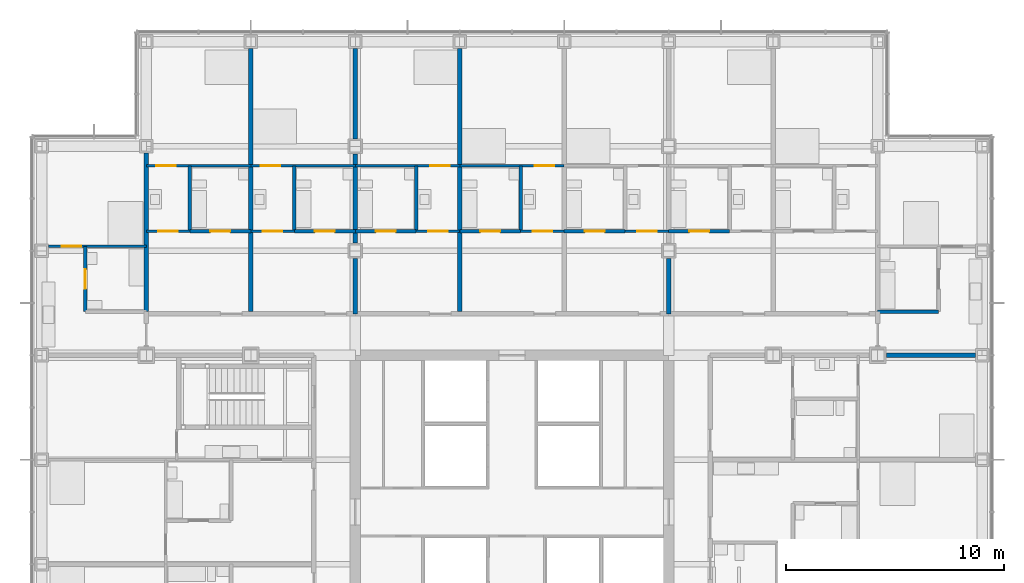
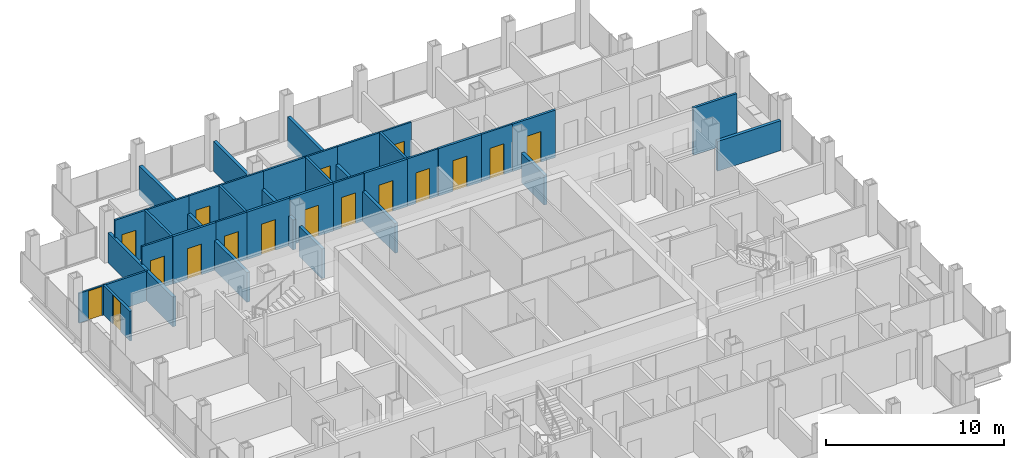
# One storey, part 18 of 22: 30 walls, 17 doors, 17 openings.
"""IFC4 building model written with IfcOpenShell, lengths in metres."""

from ifc_helpers import new_model, si_unit, direction, frame, frame_2d, origin, place, context, subcontext, project, spatial, rectangle, extrude, material, layer, layer_set, type_object, element, fill, save


model = new_model("IFC4")

# Units and contexts
model_context = context("Model", 3, precision=1e-05, world=origin(), true_north=direction((0.0, 1.0)))
body_context = subcontext(model_context, "Body", "Model", "MODEL_VIEW")
ifc_project = project(units=[si_unit("LENGTHUNIT", "METRE"), si_unit("AREAUNIT", "SQUARE_METRE"), si_unit("VOLUMEUNIT", "CUBIC_METRE"), si_unit("PLANEANGLEUNIT", "RADIAN"), si_unit("MASSUNIT", "GRAM", prefix="KILO")], contexts=[model_context])

# Site, building, storey
site_placement = place(None, origin())
site = spatial("IfcSite", under=ifc_project, at=site_placement, CompositionType="ELEMENT")
building_placement = place(site_placement, origin())
building = spatial("IfcBuilding", under=site, at=building_placement, Name="Kvirike Care Tower", CompositionType="ELEMENT")
storey_placement = place(building_placement, frame((0.0, 0.0, 76.0)))
storey = spatial("IfcBuildingStorey", under=building, at=storey_placement, Name="L20", CompositionType="ELEMENT", Elevation=76.0)

# Wall
ifc_material_1 = material(Name="Moisture-resistant board partition", Category="gypsum")
ifc_layer_1 = layer(ifc_material_1, 0.14990234375)
ifc_layer_set_1 = layer_set([ifc_layer_1], Name="BATHROOM WALL 150")
wall_type_1 = type_object("IfcWallType", Name="BATHROOM WALL 150", PredefinedType="PARTITIONING", material=ifc_layer_set_1)
wall_1_placement = place(storey_placement, frame((11.60009765625, 51.89990234375, 0.0), z_axis=(0.0, 0.0, 1.0), x_axis=(0.0, -1.0, 0.0)))
element("IfcWall", 1, at=wall_1_placement, inside=storey, type_object=wall_type_1, Name="Bathroom Wall 150 L20", PredefinedType="PARTITIONING", context=body_context, shape_type="SweptSolid", body=[
    extrude(rectangle(XDim=3.0, YDim=0.14990234375, at=frame_2d((1.5, 0.0))), origin(), (0.0, 0.0, 1.0), 3.25),
])

# Wall, opening, door
wall_2_placement = place(storey_placement, frame((14.39990234375, 48.89990234375, 0.0), z_axis=(0.0, 0.0, 1.0), x_axis=(-1.0, 0.0, 0.0)))
wall_2 = element("IfcWall", 2, at=wall_2_placement, inside=storey, type_object=wall_type_1, Name="Bathroom Wall 150 L20", PredefinedType="PARTITIONING", context=body_context, shape_type="SweptSolid", body=[
    extrude(rectangle(XDim=2.7998046875, YDim=0.14990234375, at=frame_2d((1.39990234375, 0.0))), origin(), (0.0, 0.0, 1.0), 3.25),
])
opening_1_placement = place(wall_2_placement, frame((0.949951171875, 0.0, 0.0)))
opening_1 = element("IfcOpeningElement", 3, at=opening_1_placement, cuts=wall_2, Name="Opening 20-022", PredefinedType="OPENING", context=body_context, shape_type="SweptSolid", body=[
    extrude(rectangle(XDim=0.89990234375, YDim=2.10009765625, at=frame_2d((0.449951171875, 1.050048828125))), frame((0.0, 0.08544921875, 0.0), z_axis=(0.0, -1.0, 0.0), x_axis=(1.0, 0.0, 0.0)), (0.0, 0.0, 1.0), 0.1708984375),
])
ifc_material_2 = material(Name="Timber door set", Category="wood")
door_type_1 = type_object("IfcDoorType", Name="BATHROOM DOOR 900", OperationType="SINGLE_SWING_RIGHT", PredefinedType="DOOR", material=ifc_material_2)
door_1_placement = place(opening_1_placement, frame((0.89990234375, 0.0, 0.0), z_axis=(0.0, 0.0, 1.0), x_axis=(-1.0, 0.0, 0.0)))
door_1 = element("IfcDoor", 4, at=door_1_placement, inside=storey, type_object=door_type_1, Name="Bathroom door", OperationType="SINGLE_SWING_RIGHT", OverallHeight=2.10009765625, OverallWidth=0.89990234375, PredefinedType="DOOR", context=body_context, shape_type="SweptSolid", body=[
    extrude(rectangle(XDim=0.89990234375, YDim=2.10009765625, at=frame_2d((0.449951171875, 1.050048828125))), frame((0.0, 0.02197265625, 0.0), z_axis=(0.0, -1.0, 0.0), x_axis=(1.0, 0.0, 0.0)), (0.0, 0.0, 1.0), 0.0439453125),
])
fill(opening_1, door_1)

# Wall
wall_3_placement = place(storey_placement, frame((6.800048828125, 51.89990234375, 0.0), z_axis=(0.0, 0.0, 1.0), x_axis=(0.0, -1.0, 0.0)))
element("IfcWall", 5, at=wall_3_placement, inside=storey, type_object=wall_type_1, Name="Bathroom Wall 150 L20", PredefinedType="PARTITIONING", context=body_context, shape_type="SweptSolid", body=[
    extrude(rectangle(XDim=3.0, YDim=0.14990234375, at=frame_2d((1.5, 0.0))), origin(), (0.0, 0.0, 1.0), 3.25),
])

# Wall, opening, door
wall_4_placement = place(storey_placement, frame((9.60009765625, 48.89990234375, 0.0), z_axis=(0.0, 0.0, 1.0), x_axis=(-1.0, 0.0, 0.0)))
wall_4 = element("IfcWall", 6, at=wall_4_placement, inside=storey, type_object=wall_type_1, Name="Bathroom Wall 150 L20", PredefinedType="PARTITIONING", context=body_context, shape_type="SweptSolid", body=[
    extrude(rectangle(XDim=2.800048828125, YDim=0.14990234375, at=frame_2d((1.39990234375, 0.0))), origin(), (0.0, 0.0, 1.0), 3.25),
])
opening_2_placement = place(wall_4_placement, frame((0.949951171875, 0.0, 0.0)))
opening_2 = element("IfcOpeningElement", 7, at=opening_2_placement, cuts=wall_4, Name="Opening 20-025", PredefinedType="OPENING", context=body_context, shape_type="SweptSolid", body=[
    extrude(rectangle(XDim=0.89990234375, YDim=2.10009765625, at=frame_2d((0.449951171875, 1.050048828125))), frame((0.0, 0.08544921875, 0.0), z_axis=(0.0, -1.0, 0.0), x_axis=(1.0, 0.0, 0.0)), (0.0, 0.0, 1.0), 0.1708984375),
])
door_2_placement = place(opening_2_placement, frame((0.89990234375, 0.0, 0.0), z_axis=(0.0, 0.0, 1.0), x_axis=(-1.0, 0.0, 0.0)))
door_2 = element("IfcDoor", 8, at=door_2_placement, inside=storey, type_object=door_type_1, Name="Bathroom door", OperationType="SINGLE_SWING_LEFT", OverallHeight=2.10009765625, OverallWidth=0.89990234375, PredefinedType="DOOR", context=body_context, shape_type="SweptSolid", body=[
    extrude(rectangle(XDim=0.89990234375, YDim=2.10009765625, at=frame_2d((0.449951171875, 1.050048828125))), frame((0.0, 0.02197265625, 0.0), z_axis=(0.0, -1.0, 0.0), x_axis=(1.0, 0.0, 0.0)), (0.0, 0.0, 1.0), 0.0439453125),
])
fill(opening_2, door_2)

wall_5_placement = place(storey_placement, frame((2.0, 48.199951171875, 0.0), z_axis=(0.0, 0.0, 1.0), x_axis=(0.0, -1.0, 0.0)))
wall_5 = element("IfcWall", 9, at=wall_5_placement, inside=storey, type_object=wall_type_1, Name="Bathroom Wall 150 L20", PredefinedType="PARTITIONING", context=body_context, shape_type="SweptSolid", body=[
    extrude(rectangle(XDim=3.0, YDim=0.14990234375, at=frame_2d((1.5, 0.0))), origin(), (0.0, 0.0, 1.0), 2.0400390625),
])
opening_3_placement = place(wall_5_placement, frame((1.050048828125, 0.0, 0.0)))
opening_3 = element("IfcOpeningElement", 10, at=opening_3_placement, cuts=wall_5, Name="Opening 20-028", PredefinedType="OPENING", context=body_context, shape_type="SweptSolid", body=[
    extrude(rectangle(XDim=0.89990234375, YDim=2.0, at=frame_2d((0.449951171875, 1.0))), frame((0.0, 0.08544921875, 0.0), z_axis=(0.0, -1.0, 0.0), x_axis=(1.0, 0.0, 0.0)), (0.0, 0.0, 1.0), 0.1708984375),
])
ifc_material_3 = material(Name="Timber door set", Category="wood")
door_type_2 = type_object("IfcDoorType", Name="BATHROOM DOOR 900 x 2000", OperationType="SINGLE_SWING_RIGHT", PredefinedType="DOOR", material=ifc_material_3)
door_3_placement = place(opening_3_placement, origin())
door_3 = element("IfcDoor", 11, at=door_3_placement, inside=storey, type_object=door_type_2, Name="Bathroom door", OperationType="SINGLE_SWING_RIGHT", OverallHeight=2.0, OverallWidth=0.89990234375, PredefinedType="DOOR", context=body_context, shape_type="SweptSolid", body=[
    extrude(rectangle(XDim=0.89990234375, YDim=2.0, at=frame_2d((0.449951171875, 1.0))), frame((0.0, 0.02197265625, 0.0), z_axis=(0.0, -1.0, 0.0), x_axis=(1.0, 0.0, 0.0)), (0.0, 0.0, 1.0), 0.0439453125),
])
fill(opening_3, door_3)

wall_6_placement = place(storey_placement, frame((26.800048828125, 48.89990234375, 0.0), z_axis=(0.0, 0.0, 1.0), x_axis=(-1.0, 0.0, 0.0)))
wall_6 = element("IfcWall", 12, at=wall_6_placement, inside=storey, type_object=wall_type_1, Name="Bathroom Wall 150 L20", PredefinedType="PARTITIONING", context=body_context, shape_type="SweptSolid", body=[
    extrude(rectangle(XDim=2.800048828125, YDim=0.14990234375, at=frame_2d((1.39990234375, 0.0))), origin(), (0.0, 0.0, 1.0), 3.25),
])
opening_4_placement = place(wall_6_placement, frame((0.949951171875, 0.0, 0.0)))
opening_4 = element("IfcOpeningElement", 13, at=opening_4_placement, cuts=wall_6, Name="Opening 20-043", PredefinedType="OPENING", context=body_context, shape_type="SweptSolid", body=[
    extrude(rectangle(XDim=0.89990234375, YDim=2.10009765625, at=frame_2d((0.449951171875, 1.050048828125))), frame((0.0, 0.08544921875, 0.0), z_axis=(0.0, -1.0, 0.0), x_axis=(1.0, 0.0, 0.0)), (0.0, 0.0, 1.0), 0.1708984375),
])
door_4_placement = place(opening_4_placement, frame((0.89990234375, 0.0, 0.0), z_axis=(0.0, 0.0, 1.0), x_axis=(-1.0, 0.0, 0.0)))
door_4 = element("IfcDoor", 14, at=door_4_placement, inside=storey, type_object=door_type_1, Name="Bathroom door", OperationType="SINGLE_SWING_LEFT", OverallHeight=2.10009765625, OverallWidth=0.89990234375, PredefinedType="DOOR", context=body_context, shape_type="SweptSolid", body=[
    extrude(rectangle(XDim=0.89990234375, YDim=2.10009765625, at=frame_2d((0.449951171875, 1.050048828125))), frame((0.0, 0.02197265625, 0.0), z_axis=(0.0, -1.0, 0.0), x_axis=(1.0, 0.0, 0.0)), (0.0, 0.0, 1.0), 0.0439453125),
])
fill(opening_4, door_4)

# Wall
wall_7_placement = place(storey_placement, frame((22.0, 51.89990234375, 0.0), z_axis=(0.0, 0.0, 1.0), x_axis=(0.0, -1.0, 0.0)))
element("IfcWall", 15, at=wall_7_placement, inside=storey, type_object=wall_type_1, Name="Bathroom Wall 150 L20", PredefinedType="PARTITIONING", context=body_context, shape_type="SweptSolid", body=[
    extrude(rectangle(XDim=3.0, YDim=0.14990234375, at=frame_2d((1.5, 0.0))), origin(), (0.0, 0.0, 1.0), 3.25),
])

# Wall, opening, door
wall_8_placement = place(storey_placement, frame((22.0, 48.89990234375, 0.0), z_axis=(0.0, 0.0, 1.0), x_axis=(-1.0, 0.0, 0.0)))
wall_8 = element("IfcWall", 16, at=wall_8_placement, inside=storey, type_object=wall_type_1, Name="Bathroom Wall 150 L20", PredefinedType="PARTITIONING", context=body_context, shape_type="SweptSolid", body=[
    extrude(rectangle(XDim=2.800048828125, YDim=0.14990234375, at=frame_2d((1.39990234375, 0.0))), origin(), (0.0, 0.0, 1.0), 3.25),
])
opening_5_placement = place(wall_8_placement, frame((0.949951171875, 0.0, 0.0)))
opening_5 = element("IfcOpeningElement", 17, at=opening_5_placement, cuts=wall_8, Name="Opening 20-046", PredefinedType="OPENING", context=body_context, shape_type="SweptSolid", body=[
    extrude(rectangle(XDim=0.89990234375, YDim=2.10009765625, at=frame_2d((0.449951171875, 1.050048828125))), frame((0.0, 0.08544921875, 0.0), z_axis=(0.0, -1.0, 0.0), x_axis=(1.0, 0.0, 0.0)), (0.0, 0.0, 1.0), 0.1708984375),
])
door_5_placement = place(opening_5_placement, frame((0.89990234375, 0.0, 0.0), z_axis=(0.0, 0.0, 1.0), x_axis=(-1.0, 0.0, 0.0)))
door_5 = element("IfcDoor", 18, at=door_5_placement, inside=storey, type_object=door_type_1, Name="Bathroom door", OperationType="SINGLE_SWING_RIGHT", OverallHeight=2.10009765625, OverallWidth=0.89990234375, PredefinedType="DOOR", context=body_context, shape_type="SweptSolid", body=[
    extrude(rectangle(XDim=0.89990234375, YDim=2.10009765625, at=frame_2d((0.449951171875, 1.050048828125))), frame((0.0, 0.02197265625, 0.0), z_axis=(0.0, -1.0, 0.0), x_axis=(1.0, 0.0, 0.0)), (0.0, 0.0, 1.0), 0.0439453125),
])
fill(opening_5, door_5)

# Wall
wall_9_placement = place(storey_placement, frame((17.199951171875, 51.89990234375, 0.0), z_axis=(0.0, 0.0, 1.0), x_axis=(0.0, -1.0, 0.0)))
element("IfcWall", 19, at=wall_9_placement, inside=storey, type_object=wall_type_1, Name="Bathroom Wall 150 L20", PredefinedType="PARTITIONING", context=body_context, shape_type="SweptSolid", body=[
    extrude(rectangle(XDim=3.0, YDim=0.14990234375, at=frame_2d((1.5, 0.0))), origin(), (0.0, 0.0, 1.0), 3.25),
])

# Wall, opening, door
wall_10_placement = place(storey_placement, frame((17.199951171875, 48.89990234375, 0.0), z_axis=(0.0, 0.0, 1.0), x_axis=(-1.0, 0.0, 0.0)))
wall_10 = element("IfcWall", 20, at=wall_10_placement, inside=storey, type_object=wall_type_1, Name="Bathroom Wall 150 L20", PredefinedType="PARTITIONING", context=body_context, shape_type="SweptSolid", body=[
    extrude(rectangle(XDim=2.800048828125, YDim=0.14990234375, at=frame_2d((1.39990234375, 0.0))), origin(), (0.0, 0.0, 1.0), 3.25),
])
opening_6_placement = place(wall_10_placement, frame((0.949951171875, 0.0, 0.0)))
opening_6 = element("IfcOpeningElement", 21, at=opening_6_placement, cuts=wall_10, Name="Opening 20-049", PredefinedType="OPENING", context=body_context, shape_type="SweptSolid", body=[
    extrude(rectangle(XDim=0.89990234375, YDim=2.10009765625, at=frame_2d((0.449951171875, 1.050048828125))), frame((0.0, 0.08544921875, 0.0), z_axis=(0.0, -1.0, 0.0), x_axis=(1.0, 0.0, 0.0)), (0.0, 0.0, 1.0), 0.1708984375),
])
door_6_placement = place(opening_6_placement, frame((0.89990234375, 0.0, 0.0), z_axis=(0.0, 0.0, 1.0), x_axis=(-1.0, 0.0, 0.0)))
door_6 = element("IfcDoor", 22, at=door_6_placement, inside=storey, type_object=door_type_1, Name="Bathroom door", OperationType="SINGLE_SWING_LEFT", OverallHeight=2.10009765625, OverallWidth=0.89990234375, PredefinedType="DOOR", context=body_context, shape_type="SweptSolid", body=[
    extrude(rectangle(XDim=0.89990234375, YDim=2.10009765625, at=frame_2d((0.449951171875, 1.050048828125))), frame((0.0, 0.02197265625, 0.0), z_axis=(0.0, -1.0, 0.0), x_axis=(1.0, 0.0, 0.0)), (0.0, 0.0, 1.0), 0.0439453125),
])
fill(opening_6, door_6)

# Wall
wall_11_placement = place(storey_placement, frame((41.199951171875, 45.199951171875, 0.0), z_axis=(0.0, 0.0, 1.0), x_axis=(-1.0, 0.0, 0.0)))
element("IfcWall", 23, at=wall_11_placement, inside=storey, type_object=wall_type_1, Name="Bathroom Wall 150 L20", PredefinedType="PARTITIONING", context=body_context, shape_type="SweptSolid", body=[
    extrude(rectangle(XDim=2.800048828125, YDim=0.14990234375, at=frame_2d((1.39990234375, 0.0))), origin(), (0.0, 0.0, 1.0), 3.25),
])

# Wall, opening, door
wall_12_placement = place(storey_placement, frame((31.60009765625, 48.89990234375, 0.0), z_axis=(0.0, 0.0, 1.0), x_axis=(-1.0, 0.0, 0.0)))
wall_12 = element("IfcWall", 24, at=wall_12_placement, inside=storey, type_object=wall_type_1, Name="Bathroom Wall 150 L20", PredefinedType="PARTITIONING", context=body_context, shape_type="SweptSolid", body=[
    extrude(rectangle(XDim=2.800048828125, YDim=0.14990234375, at=frame_2d((1.39990234375, 0.0))), origin(), (0.0, 0.0, 1.0), 3.25),
])
opening_7_placement = place(wall_12_placement, frame((0.949951171875, 0.0, 0.0)))
opening_7 = element("IfcOpeningElement", 25, at=opening_7_placement, cuts=wall_12, Name="Opening 20-081", PredefinedType="OPENING", context=body_context, shape_type="SweptSolid", body=[
    extrude(rectangle(XDim=0.89990234375, YDim=2.10009765625, at=frame_2d((0.449951171875, 1.050048828125))), frame((0.0, 0.08544921875, 0.0), z_axis=(0.0, -1.0, 0.0), x_axis=(1.0, 0.0, 0.0)), (0.0, 0.0, 1.0), 0.1708984375),
])
door_7_placement = place(opening_7_placement, frame((0.89990234375, 0.0, 0.0), z_axis=(0.0, 0.0, 1.0), x_axis=(-1.0, 0.0, 0.0)))
door_7 = element("IfcDoor", 26, at=door_7_placement, inside=storey, type_object=door_type_1, Name="Bathroom door", OperationType="SINGLE_SWING_LEFT", OverallHeight=2.10009765625, OverallWidth=0.89990234375, PredefinedType="DOOR", context=body_context, shape_type="SweptSolid", body=[
    extrude(rectangle(XDim=0.89990234375, YDim=2.10009765625, at=frame_2d((0.449951171875, 1.050048828125))), frame((0.0, 0.02197265625, 0.0), z_axis=(0.0, -1.0, 0.0), x_axis=(1.0, 0.0, 0.0)), (0.0, 0.0, 1.0), 0.0439453125),
])
fill(opening_7, door_7)

ifc_material_4 = material(Name="Plasterboard partition", Category="gypsum")
ifc_layer_2 = layer(ifc_material_4, 0.1201171875)
ifc_layer_set_2 = layer_set([ifc_layer_2], Name="PARTITION 120")
wall_type_2 = type_object("IfcWallType", Name="PARTITION 120", PredefinedType="PARTITIONING", material=ifc_layer_set_2)
wall_13_placement = place(storey_placement, frame((11.60009765625, 48.89990234375, 0.0), z_axis=(0.0, 0.0, 1.0), x_axis=(-1.0, 0.0, 0.0)))
wall_13 = element("IfcWall", 27, at=wall_13_placement, inside=storey, type_object=wall_type_2, Name="Partition 120 L20", PredefinedType="PARTITIONING", context=body_context, shape_type="SweptSolid", body=[
    extrude(rectangle(XDim=2.0, YDim=0.1201171875, at=frame_2d((1.0, 0.0))), origin(), (0.0, 0.0, 1.0), 3.25),
])
opening_8_placement = place(wall_13_placement, frame((0.550048828125, 0.0, 0.0)))
opening_8 = element("IfcOpeningElement", 28, at=opening_8_placement, cuts=wall_13, Name="Opening 20-023", PredefinedType="OPENING", context=body_context, shape_type="SweptSolid", body=[
    extrude(rectangle(XDim=0.89990234375, YDim=2.10009765625, at=frame_2d((0.449951171875, 1.050048828125))), frame((0.0, 0.070556640625, 0.0), z_axis=(0.0, -1.0, 0.0), x_axis=(1.0, 0.0, 0.0)), (0.0, 0.0, 1.0), 0.14111328125),
])
ifc_material_5 = material(Name="Timber door set", Category="wood")
door_type_3 = type_object("IfcDoorType", Name="INTERNAL DOOR 900", OperationType="SINGLE_SWING_LEFT", PredefinedType="DOOR", material=ifc_material_5)
door_8_placement = place(opening_8_placement, frame((0.89990234375, 0.0, 0.0), z_axis=(0.0, 0.0, 1.0), x_axis=(-1.0, 0.0, 0.0)))
door_8 = element("IfcDoor", 29, at=door_8_placement, inside=storey, type_object=door_type_3, Name="Kitchen door", OperationType="SINGLE_SWING_RIGHT", OverallHeight=2.10009765625, OverallWidth=0.89990234375, PredefinedType="DOOR", context=body_context, shape_type="SweptSolid", body=[
    extrude(rectangle(XDim=0.89990234375, YDim=2.10009765625, at=frame_2d((0.449951171875, 1.050048828125))), frame((0.0, 0.02197265625, 0.0), z_axis=(0.0, -1.0, 0.0), x_axis=(1.0, 0.0, 0.0)), (0.0, 0.0, 1.0), 0.0439453125),
])
fill(opening_8, door_8)

wall_14_placement = place(storey_placement, frame((14.39990234375, 51.89990234375, 0.0), z_axis=(0.0, 0.0, 1.0), x_axis=(-1.0, 0.0, 0.0)))
wall_14 = element("IfcWall", 30, at=wall_14_placement, inside=storey, type_object=wall_type_2, Name="Partition 120 L20", PredefinedType="PARTITIONING", context=body_context, shape_type="SweptSolid", body=[
    extrude(rectangle(XDim=4.7998046875, YDim=0.1201171875, at=frame_2d((2.39990234375, 0.0))), origin(), (0.0, 0.0, 1.0), 3.25),
])
opening_9_placement = place(wall_14_placement, frame((3.449951171875, 0.0, 0.0)))
opening_9 = element("IfcOpeningElement", 31, at=opening_9_placement, cuts=wall_14, Name="Opening 20-024", PredefinedType="OPENING", context=body_context, shape_type="SweptSolid", body=[
    extrude(rectangle(XDim=0.89990234375, YDim=2.10009765625, at=frame_2d((0.449951171875, 1.050048828125))), frame((0.0, 0.070556640625, 0.0), z_axis=(0.0, -1.0, 0.0), x_axis=(1.0, 0.0, 0.0)), (0.0, 0.0, 1.0), 0.14111328125),
])
door_9_placement = place(opening_9_placement, origin())
door_9 = element("IfcDoor", 32, at=door_9_placement, inside=storey, type_object=door_type_3, Name="Studio apartment living room door", OperationType="SINGLE_SWING_LEFT", OverallHeight=2.10009765625, OverallWidth=0.89990234375, PredefinedType="DOOR", context=body_context, shape_type="SweptSolid", body=[
    extrude(rectangle(XDim=0.89990234375, YDim=2.10009765625, at=frame_2d((0.449951171875, 1.050048828125))), frame((0.0, 0.02197265625, 0.0), z_axis=(0.0, -1.0, 0.0), x_axis=(1.0, 0.0, 0.0)), (0.0, 0.0, 1.0), 0.0439453125),
])
fill(opening_9, door_9)

wall_15_placement = place(storey_placement, frame((6.800048828125, 48.89990234375, 0.0), z_axis=(0.0, 0.0, 1.0), x_axis=(-1.0, 0.0, 0.0)))
wall_15 = element("IfcWall", 33, at=wall_15_placement, inside=storey, type_object=wall_type_2, Name="Partition 120 L20", PredefinedType="PARTITIONING", context=body_context, shape_type="SweptSolid", body=[
    extrude(rectangle(XDim=2.0, YDim=0.1201171875, at=frame_2d((1.0, 0.0))), origin(), (0.0, 0.0, 1.0), 3.25),
])
opening_10_placement = place(wall_15_placement, frame((0.550048828125, 0.0, 0.0)))
opening_10 = element("IfcOpeningElement", 34, at=opening_10_placement, cuts=wall_15, Name="Opening 20-026", PredefinedType="OPENING", context=body_context, shape_type="SweptSolid", body=[
    extrude(rectangle(XDim=0.89990234375, YDim=2.10009765625, at=frame_2d((0.449951171875, 1.050048828125))), frame((0.0, 0.070556640625, 0.0), z_axis=(0.0, -1.0, 0.0), x_axis=(1.0, 0.0, 0.0)), (0.0, 0.0, 1.0), 0.14111328125),
])
door_10_placement = place(opening_10_placement, frame((0.89990234375, 0.0, 0.0), z_axis=(0.0, 0.0, 1.0), x_axis=(-1.0, 0.0, 0.0)))
door_10 = element("IfcDoor", 35, at=door_10_placement, inside=storey, type_object=door_type_3, Name="Kitchen door", OperationType="SINGLE_SWING_LEFT", OverallHeight=2.10009765625, OverallWidth=0.89990234375, PredefinedType="DOOR", context=body_context, shape_type="SweptSolid", body=[
    extrude(rectangle(XDim=0.89990234375, YDim=2.10009765625, at=frame_2d((0.449951171875, 1.050048828125))), frame((0.0, 0.02197265625, 0.0), z_axis=(0.0, -1.0, 0.0), x_axis=(1.0, 0.0, 0.0)), (0.0, 0.0, 1.0), 0.0439453125),
])
fill(opening_10, door_10)

wall_16_placement = place(storey_placement, frame((9.60009765625, 51.89990234375, 0.0), z_axis=(0.0, 0.0, 1.0), x_axis=(-1.0, 0.0, 0.0)))
wall_16 = element("IfcWall", 36, at=wall_16_placement, inside=storey, type_object=wall_type_2, Name="Partition 120 L20", PredefinedType="PARTITIONING", context=body_context, shape_type="SweptSolid", body=[
    extrude(rectangle(XDim=4.800048828125, YDim=0.1201171875, at=frame_2d((2.39990234375, 0.0))), origin(), (0.0, 0.0, 1.0), 3.25),
])
opening_11_placement = place(wall_16_placement, frame((3.449951171875, 0.0, 0.0)))
opening_11 = element("IfcOpeningElement", 37, at=opening_11_placement, cuts=wall_16, Name="Opening 20-027", PredefinedType="OPENING", context=body_context, shape_type="SweptSolid", body=[
    extrude(rectangle(XDim=0.89990234375, YDim=2.10009765625, at=frame_2d((0.449951171875, 1.050048828125))), frame((0.0, 0.070556640625, 0.0), z_axis=(0.0, -1.0, 0.0), x_axis=(1.0, 0.0, 0.0)), (0.0, 0.0, 1.0), 0.14111328125),
])
door_11_placement = place(opening_11_placement, origin())
door_11 = element("IfcDoor", 38, at=door_11_placement, inside=storey, type_object=door_type_3, Name="Studio apartment living room door", OperationType="SINGLE_SWING_LEFT", OverallHeight=2.10009765625, OverallWidth=0.89990234375, PredefinedType="DOOR", context=body_context, shape_type="SweptSolid", body=[
    extrude(rectangle(XDim=0.89990234375, YDim=2.10009765625, at=frame_2d((0.449951171875, 1.050048828125))), frame((0.0, 0.02197265625, 0.0), z_axis=(0.0, -1.0, 0.0), x_axis=(1.0, 0.0, 0.0)), (0.0, 0.0, 1.0), 0.0439453125),
])
fill(opening_11, door_11)

wall_17_placement = place(storey_placement, frame((4.800048828125, 48.199951171875, 0.0), z_axis=(0.0, 0.0, 1.0), x_axis=(-1.0, 0.0, 0.0)))
wall_17 = element("IfcWall", 39, at=wall_17_placement, inside=storey, type_object=wall_type_2, Name="Partition 120 L20", PredefinedType="PARTITIONING", context=body_context, shape_type="SweptSolid", body=[
    extrude(rectangle(XDim=4.47998046875, YDim=0.1201171875, at=frame_2d((2.239990234375, 0.0))), origin(), (0.0, 0.0, 1.0), 2.0400390625),
])
opening_12_placement = place(wall_17_placement, frame((2.97509765625, 0.0, 0.0)))
opening_12 = element("IfcOpeningElement", 40, at=opening_12_placement, cuts=wall_17, Name="Opening 20-029", PredefinedType="OPENING", context=body_context, shape_type="SweptSolid", body=[
    extrude(rectangle(XDim=0.89990234375, YDim=2.0, at=frame_2d((0.449951171875, 1.0))), frame((0.0, 0.070556640625, 0.0), z_axis=(0.0, -1.0, 0.0), x_axis=(1.0, 0.0, 0.0)), (0.0, 0.0, 1.0), 0.14111328125),
])
ifc_material_6 = material(Name="Timber door set", Category="wood")
door_type_4 = type_object("IfcDoorType", Name="INTERNAL DOOR 900 x 2000", OperationType="SINGLE_SWING_LEFT", PredefinedType="DOOR", material=ifc_material_6)
door_12_placement = place(opening_12_placement, origin())
door_12 = element("IfcDoor", 41, at=door_12_placement, inside=storey, type_object=door_type_4, Name="Studio apartment living room door", OperationType="SINGLE_SWING_RIGHT", OverallHeight=2.0, OverallWidth=0.89990234375, PredefinedType="DOOR", context=body_context, shape_type="SweptSolid", body=[
    extrude(rectangle(XDim=0.89990234375, YDim=2.0, at=frame_2d((0.449951171875, 1.0))), frame((0.0, 0.02197265625, 0.0), z_axis=(0.0, -1.0, 0.0), x_axis=(1.0, 0.0, 0.0)), (0.0, 0.0, 1.0), 0.0439453125),
])
fill(opening_12, door_12)

wall_18_placement = place(storey_placement, frame((28.800048828125, 48.89990234375, 0.0), z_axis=(0.0, 0.0, 1.0), x_axis=(-1.0, 0.0, 0.0)))
wall_18 = element("IfcWall", 42, at=wall_18_placement, inside=storey, type_object=wall_type_2, Name="Partition 120 L20", PredefinedType="PARTITIONING", context=body_context, shape_type="SweptSolid", body=[
    extrude(rectangle(XDim=2.0, YDim=0.1201171875, at=frame_2d((1.0, 0.0))), origin(), (0.0, 0.0, 1.0), 3.25),
])
opening_13_placement = place(wall_18_placement, frame((0.550048828125, 0.0, 0.0)))
opening_13 = element("IfcOpeningElement", 43, at=opening_13_placement, cuts=wall_18, Name="Opening 20-044", PredefinedType="OPENING", context=body_context, shape_type="SweptSolid", body=[
    extrude(rectangle(XDim=0.89990234375, YDim=2.10009765625, at=frame_2d((0.449951171875, 1.050048828125))), frame((0.0, 0.070556640625, 0.0), z_axis=(0.0, -1.0, 0.0), x_axis=(1.0, 0.0, 0.0)), (0.0, 0.0, 1.0), 0.14111328125),
])
door_13_placement = place(opening_13_placement, frame((0.89990234375, 0.0, 0.0), z_axis=(0.0, 0.0, 1.0), x_axis=(-1.0, 0.0, 0.0)))
door_13 = element("IfcDoor", 44, at=door_13_placement, inside=storey, type_object=door_type_3, Name="Kitchen door", OperationType="SINGLE_SWING_LEFT", OverallHeight=2.10009765625, OverallWidth=0.89990234375, PredefinedType="DOOR", context=body_context, shape_type="SweptSolid", body=[
    extrude(rectangle(XDim=0.89990234375, YDim=2.10009765625, at=frame_2d((0.449951171875, 1.050048828125))), frame((0.0, 0.02197265625, 0.0), z_axis=(0.0, -1.0, 0.0), x_axis=(1.0, 0.0, 0.0)), (0.0, 0.0, 1.0), 0.0439453125),
])
fill(opening_13, door_13)

wall_19_placement = place(storey_placement, frame((24.0, 48.89990234375, 0.0), z_axis=(0.0, 0.0, 1.0), x_axis=(-1.0, 0.0, 0.0)))
wall_19 = element("IfcWall", 45, at=wall_19_placement, inside=storey, type_object=wall_type_2, Name="Partition 120 L20", PredefinedType="PARTITIONING", context=body_context, shape_type="SweptSolid", body=[
    extrude(rectangle(XDim=2.0, YDim=0.1201171875, at=frame_2d((1.0, 0.0))), origin(), (0.0, 0.0, 1.0), 3.25),
])
opening_14_placement = place(wall_19_placement, frame((0.550048828125, 0.0, 0.0)))
opening_14 = element("IfcOpeningElement", 46, at=opening_14_placement, cuts=wall_19, Name="Opening 20-047", PredefinedType="OPENING", context=body_context, shape_type="SweptSolid", body=[
    extrude(rectangle(XDim=0.89990234375, YDim=2.10009765625, at=frame_2d((0.449951171875, 1.050048828125))), frame((0.0, 0.070556640625, 0.0), z_axis=(0.0, -1.0, 0.0), x_axis=(1.0, 0.0, 0.0)), (0.0, 0.0, 1.0), 0.14111328125),
])
door_14_placement = place(opening_14_placement, frame((0.89990234375, 0.0, 0.0), z_axis=(0.0, 0.0, 1.0), x_axis=(-1.0, 0.0, 0.0)))
door_14 = element("IfcDoor", 47, at=door_14_placement, inside=storey, type_object=door_type_3, Name="Kitchen door", OperationType="SINGLE_SWING_RIGHT", OverallHeight=2.10009765625, OverallWidth=0.89990234375, PredefinedType="DOOR", context=body_context, shape_type="SweptSolid", body=[
    extrude(rectangle(XDim=0.89990234375, YDim=2.10009765625, at=frame_2d((0.449951171875, 1.050048828125))), frame((0.0, 0.02197265625, 0.0), z_axis=(0.0, -1.0, 0.0), x_axis=(1.0, 0.0, 0.0)), (0.0, 0.0, 1.0), 0.0439453125),
])
fill(opening_14, door_14)

wall_20_placement = place(storey_placement, frame((24.0, 51.89990234375, 0.0), z_axis=(0.0, 0.0, 1.0), x_axis=(-1.0, 0.0, 0.0)))
wall_20 = element("IfcWall", 48, at=wall_20_placement, inside=storey, type_object=wall_type_2, Name="Partition 120 L20", PredefinedType="PARTITIONING", context=body_context, shape_type="SweptSolid", body=[
    extrude(rectangle(XDim=4.800048828125, YDim=0.1201171875, at=frame_2d((2.39990234375, 0.0))), origin(), (0.0, 0.0, 1.0), 3.25),
])
opening_15_placement = place(wall_20_placement, frame((0.449951171875, 0.0, 0.0)))
opening_15 = element("IfcOpeningElement", 49, at=opening_15_placement, cuts=wall_20, Name="Opening 20-048", PredefinedType="OPENING", context=body_context, shape_type="SweptSolid", body=[
    extrude(rectangle(XDim=0.89990234375, YDim=2.10009765625, at=frame_2d((0.449951171875, 1.050048828125))), frame((0.0, 0.070556640625, 0.0), z_axis=(0.0, -1.0, 0.0), x_axis=(1.0, 0.0, 0.0)), (0.0, 0.0, 1.0), 0.14111328125),
])
door_15_placement = place(opening_15_placement, origin())
door_15 = element("IfcDoor", 50, at=door_15_placement, inside=storey, type_object=door_type_3, Name="Studio apartment living room door", OperationType="SINGLE_SWING_RIGHT", OverallHeight=2.10009765625, OverallWidth=0.89990234375, PredefinedType="DOOR", context=body_context, shape_type="SweptSolid", body=[
    extrude(rectangle(XDim=0.89990234375, YDim=2.10009765625, at=frame_2d((0.449951171875, 1.050048828125))), frame((0.0, 0.02197265625, 0.0), z_axis=(0.0, -1.0, 0.0), x_axis=(1.0, 0.0, 0.0)), (0.0, 0.0, 1.0), 0.0439453125),
])
fill(opening_15, door_15)

wall_21_placement = place(storey_placement, frame((19.199951171875, 48.89990234375, 0.0), z_axis=(0.0, 0.0, 1.0), x_axis=(-1.0, 0.0, 0.0)))
wall_21 = element("IfcWall", 51, at=wall_21_placement, inside=storey, type_object=wall_type_2, Name="Partition 120 L20", PredefinedType="PARTITIONING", context=body_context, shape_type="SweptSolid", body=[
    extrude(rectangle(XDim=2.0, YDim=0.1201171875, at=frame_2d((1.0, 0.0))), origin(), (0.0, 0.0, 1.0), 3.25),
])
opening_16_placement = place(wall_21_placement, frame((0.550048828125, 0.0, 0.0)))
opening_16 = element("IfcOpeningElement", 52, at=opening_16_placement, cuts=wall_21, Name="Opening 20-050", PredefinedType="OPENING", context=body_context, shape_type="SweptSolid", body=[
    extrude(rectangle(XDim=0.89990234375, YDim=2.10009765625, at=frame_2d((0.449951171875, 1.050048828125))), frame((0.0, 0.070556640625, 0.0), z_axis=(0.0, -1.0, 0.0), x_axis=(1.0, 0.0, 0.0)), (0.0, 0.0, 1.0), 0.14111328125),
])
door_16_placement = place(opening_16_placement, frame((0.89990234375, 0.0, 0.0), z_axis=(0.0, 0.0, 1.0), x_axis=(-1.0, 0.0, 0.0)))
door_16 = element("IfcDoor", 53, at=door_16_placement, inside=storey, type_object=door_type_3, Name="Kitchen door", OperationType="SINGLE_SWING_RIGHT", OverallHeight=2.10009765625, OverallWidth=0.89990234375, PredefinedType="DOOR", context=body_context, shape_type="SweptSolid", body=[
    extrude(rectangle(XDim=0.89990234375, YDim=2.10009765625, at=frame_2d((0.449951171875, 1.050048828125))), frame((0.0, 0.02197265625, 0.0), z_axis=(0.0, -1.0, 0.0), x_axis=(1.0, 0.0, 0.0)), (0.0, 0.0, 1.0), 0.0439453125),
])
fill(opening_16, door_16)

wall_22_placement = place(storey_placement, frame((19.199951171875, 51.89990234375, 0.0), z_axis=(0.0, 0.0, 1.0), x_axis=(-1.0, 0.0, 0.0)))
wall_22 = element("IfcWall", 54, at=wall_22_placement, inside=storey, type_object=wall_type_2, Name="Partition 120 L20", PredefinedType="PARTITIONING", context=body_context, shape_type="SweptSolid", body=[
    extrude(rectangle(XDim=4.800048828125, YDim=0.1201171875, at=frame_2d((2.39990234375, 0.0))), origin(), (0.0, 0.0, 1.0), 3.25),
])
opening_17_placement = place(wall_22_placement, frame((0.449951171875, 0.0, 0.0)))
opening_17 = element("IfcOpeningElement", 55, at=opening_17_placement, cuts=wall_22, Name="Opening 20-051", PredefinedType="OPENING", context=body_context, shape_type="SweptSolid", body=[
    extrude(rectangle(XDim=0.89990234375, YDim=2.10009765625, at=frame_2d((0.449951171875, 1.050048828125))), frame((0.0, 0.070556640625, 0.0), z_axis=(0.0, -1.0, 0.0), x_axis=(1.0, 0.0, 0.0)), (0.0, 0.0, 1.0), 0.14111328125),
])
door_17_placement = place(opening_17_placement, origin())
door_17 = element("IfcDoor", 56, at=door_17_placement, inside=storey, type_object=door_type_3, Name="Studio apartment living room door", OperationType="SINGLE_SWING_RIGHT", OverallHeight=2.10009765625, OverallWidth=0.89990234375, PredefinedType="DOOR", context=body_context, shape_type="SweptSolid", body=[
    extrude(rectangle(XDim=0.89990234375, YDim=2.10009765625, at=frame_2d((0.449951171875, 1.050048828125))), frame((0.0, 0.02197265625, 0.0), z_axis=(0.0, -1.0, 0.0), x_axis=(1.0, 0.0, 0.0)), (0.0, 0.0, 1.0), 0.0439453125),
])
fill(opening_17, door_17)

# Walls
ifc_material_7 = material(Name="Plasterboard party wall", Category="gypsum")
ifc_layer_3 = layer(ifc_material_7, 0.199951171875)
ifc_layer_set_3 = layer_set([ifc_layer_3], Name="PARTY WALL 200")
wall_type_3 = type_object("IfcWallType", Name="PARTY WALL 200", PredefinedType="PARTITIONING", material=ifc_layer_set_3)
wall_23_placement = place(storey_placement, frame((9.60009765625, 57.280029296875, 0.0), z_axis=(0.0, 0.0, 1.0), x_axis=(0.0, -1.0, 0.0)))
element("IfcWall", 57, at=wall_23_placement, inside=storey, type_object=wall_type_3, Name="Party Wall 200 L20", PredefinedType="PARTITIONING", context=body_context, shape_type="SweptSolid", body=[
    extrude(rectangle(XDim=12.080078125, YDim=0.199951171875, at=frame_2d((6.0400390625, 0.0))), origin(), (0.0, 0.0, 1.0), 2.0400390625),
])
wall_24_placement = place(storey_placement, frame((4.800048828125, 52.47998046875, 0.0), z_axis=(0.0, 0.0, 1.0), x_axis=(0.0, -1.0, 0.0)))
element("IfcWall", 58, at=wall_24_placement, inside=storey, type_object=wall_type_3, Name="Party Wall 200 L20", PredefinedType="PARTITIONING", context=body_context, shape_type="SweptSolid", body=[
    extrude(rectangle(XDim=7.280029296875, YDim=0.199951171875, at=frame_2d((3.64013671875, 0.0))), origin(), (0.0, 0.0, 1.0), 2.0400390625),
])
wall_25_placement = place(storey_placement, frame((19.199951171875, 57.280029296875, 0.0), z_axis=(0.0, 0.0, 1.0), x_axis=(0.0, -1.0, 0.0)))
element("IfcWall", 59, at=wall_25_placement, inside=storey, type_object=wall_type_3, Name="Party Wall 200 L20", PredefinedType="PARTITIONING", context=body_context, shape_type="SweptSolid", body=[
    extrude(rectangle(XDim=12.080078125, YDim=0.199951171875, at=frame_2d((6.0400390625, 0.0))), origin(), (0.0, 0.0, 1.0), 2.0400390625),
])
wall_26_placement = place(storey_placement, frame((14.39990234375, 45.10009765625, 0.0), z_axis=(0.0, 0.0, 1.0), x_axis=(0.0, 1.0, 0.0)))
element("IfcWall", 60, at=wall_26_placement, inside=storey, type_object=wall_type_3, Name="Party Wall 200 L20", PredefinedType="PARTITIONING", context=body_context, shape_type="SweptSolid", body=[
    extrude(rectangle(XDim=2.554931640625, YDim=0.199951171875, at=frame_2d((1.27734375, 0.0))), origin(), (0.0, 0.0, 1.0), 2.0400390625),
])
wall_27_placement = place(storey_placement, frame((14.39990234375, 48.344970703125, 0.0), z_axis=(0.0, 0.0, 1.0), x_axis=(0.0, 1.0, 0.0)))
element("IfcWall", 61, at=wall_27_placement, inside=storey, type_object=wall_type_3, Name="Party Wall 200 L20", PredefinedType="PARTITIONING", context=body_context, shape_type="SweptSolid", body=[
    extrude(rectangle(XDim=4.110107421875, YDim=0.199951171875, at=frame_2d((2.05517578125, 0.0))), origin(), (0.0, 0.0, 1.0), 2.0400390625),
])
wall_28_placement = place(storey_placement, frame((14.39990234375, 53.14501953125, 0.0), z_axis=(0.0, 0.0, 1.0), x_axis=(0.0, 1.0, 0.0)))
element("IfcWall", 62, at=wall_28_placement, inside=storey, type_object=wall_type_3, Name="Party Wall 200 L20", PredefinedType="PARTITIONING", context=body_context, shape_type="SweptSolid", body=[
    extrude(rectangle(XDim=4.135009765625, YDim=0.199951171875, at=frame_2d((2.0673828125, 0.0))), origin(), (0.0, 0.0, 1.0), 2.0400390625),
])
wall_29_placement = place(storey_placement, frame((28.800048828125, 45.10009765625, 0.0), z_axis=(0.0, 0.0, 1.0), x_axis=(0.0, 1.0, 0.0)))
element("IfcWall", 63, at=wall_29_placement, inside=storey, type_object=wall_type_3, Name="Party Wall 200 L20", PredefinedType="PARTITIONING", context=body_context, shape_type="SweptSolid", body=[
    extrude(rectangle(XDim=2.554931640625, YDim=0.199951171875, at=frame_2d((1.27734375, 0.0))), origin(), (0.0, 0.0, 1.0), 2.0400390625),
])
wall_30_placement = place(storey_placement, frame((42.8798828125, 43.199951171875, 0.0), z_axis=(0.0, 0.0, 1.0), x_axis=(-1.0, 0.0, 0.0)))
element("IfcWall", 64, at=wall_30_placement, inside=storey, type_object=wall_type_3, Name="Party Wall 200 L20", PredefinedType="PARTITIONING", context=body_context, shape_type="SweptSolid", body=[
    extrude(rectangle(XDim=4.0849609375, YDim=0.199951171875, at=frame_2d((2.04248046875, 0.0))), origin(), (0.0, 0.0, 1.0), 2.0400390625),
])

save(model, "model.ifc")
